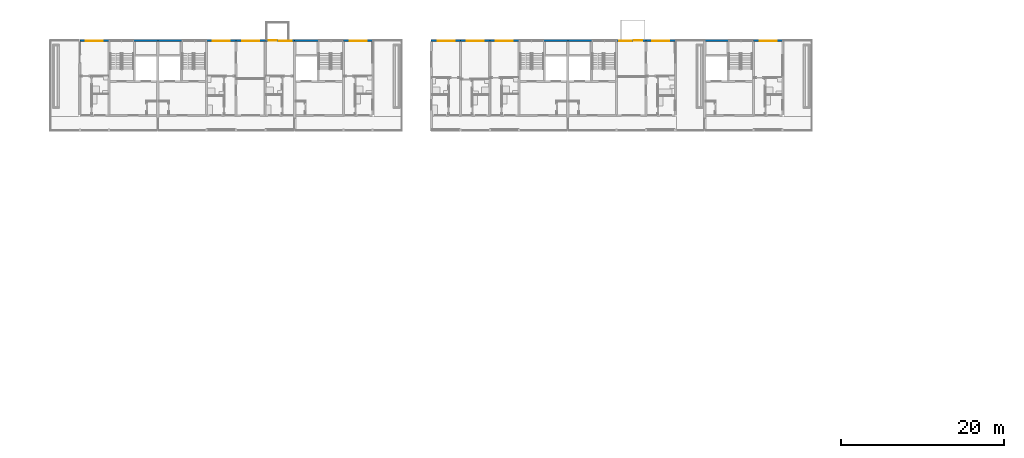
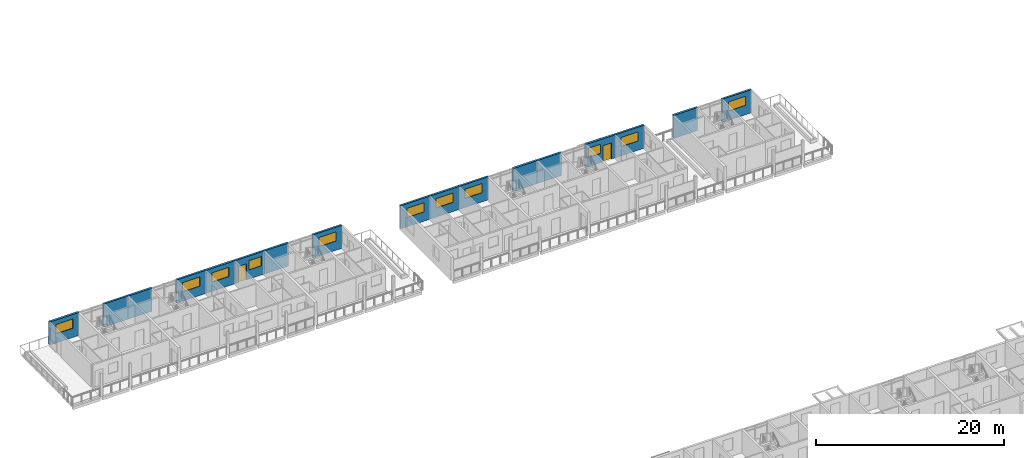
# One storey, part 42 of 94: 17 walls, 11 windows, 2 doors, 13 openings.
"""IFC4 building model written with IfcOpenShell, lengths in metres."""

from ifc_helpers import new_model, si_unit, direction, frame, frame_2d, origin, place, context, subcontext, project, spatial, rectangle, extrude, material, layer, layer_set, type_object, element, fill, save


model = new_model("IFC4")

# Units and contexts
model_context = context("Model", 3, precision=1e-05, world=origin(), true_north=direction((0.0, 1.0)))
body_context = subcontext(model_context, "Body", "Model", "MODEL_VIEW")
ifc_project = project(units=[si_unit("LENGTHUNIT", "METRE"), si_unit("AREAUNIT", "SQUARE_METRE"), si_unit("VOLUMEUNIT", "CUBIC_METRE"), si_unit("PLANEANGLEUNIT", "RADIAN"), si_unit("MASSUNIT", "GRAM", prefix="KILO")], contexts=[model_context])

# Site, building, storey
site_placement = place(None, origin())
site = spatial("IfcSite", under=ifc_project, at=site_placement, CompositionType="ELEMENT")
building_placement = place(site_placement, origin())
building = spatial("IfcBuilding", under=site, at=building_placement, Name="Ridgestep Commons", CompositionType="ELEMENT")
storey_placement = place(building_placement, frame((0.0, 0.0, 21.0)))
storey = spatial("IfcBuildingStorey", under=building, at=storey_placement, Name="L07", CompositionType="ELEMENT", Elevation=21.0)

# Wall, opening, window
ifc_material_1 = material(Name="Precast concrete C40/50", Category="concrete")
ifc_layer = layer(ifc_material_1, 0.25)
ifc_layer_set = layer_set([ifc_layer], Name="North facade panel 250")
wall_type = type_object("IfcWallType", Name="North facade panel 250", PredefinedType="SOLIDWALL", material=ifc_layer_set)
wall_1_placement = place(storey_placement, frame((19.199951171875, 77.125, 0.0), z_axis=(0.0, 0.0, 1.0), x_axis=(1.0, 0.0, 0.0)))
wall_1 = element("IfcWall", 1, at=wall_1_placement, inside=storey, type_object=wall_type, Name="North panel B1T3 L07", PredefinedType="SOLIDWALL", context=body_context, shape_type="SweptSolid", body=[
    extrude(rectangle(XDim=3.60009765625, YDim=0.25, at=frame_2d((1.800048828125, 0.0))), origin(), (0.0, 0.0, 1.0), 3.0),
])
opening_1_placement = place(wall_1_placement, frame((0.737548828125, 0.0, 1.199951171875)))
opening_1 = element("IfcOpeningElement", 2, at=opening_1_placement, cuts=wall_1, Name="Opening W22", PredefinedType="OPENING", context=body_context, shape_type="SweptSolid", body=[
    extrude(rectangle(XDim=2.10009765625, YDim=1.199951171875, at=frame_2d((1.050048828125, 0.60009765625))), frame((0.0, 0.135009765625, 0.0), z_axis=(0.0, -1.0, 0.0), x_axis=(1.0, 0.0, 0.0)), (0.0, 0.0, 1.0), 0.27001953125),
])
ifc_material_2 = material(Name="Aluminium 6063-T6 and glass", Category="aluminium")
window_type_1 = type_object("IfcWindowType", Name="Flat window 2100 x 1200", PartitioningType="DOUBLE_PANEL_VERTICAL", PredefinedType="WINDOW", material=ifc_material_2)
window_1_placement = place(opening_1_placement, origin())
window_1 = element("IfcWindow", 3, at=window_1_placement, inside=storey, type_object=window_type_1, Name="Window B1-07a 2", OverallHeight=1.199951171875, OverallWidth=2.10009765625, PartitioningType="SINGLE_PANEL", PredefinedType="WINDOW", context=body_context, shape_type="SweptSolid", body=[
    extrude(rectangle(XDim=2.10009765625, YDim=1.199951171875, at=frame_2d((1.050048828125, 0.60009765625))), frame((0.0, -0.02490234375, 0.0), z_axis=(0.0, -1.0, 0.0), x_axis=(1.0, 0.0, 0.0)), (0.0, 0.0, 1.0), 0.06005859375),
])
fill(opening_1, window_1)

# Walls
wall_2_placement = place(storey_placement, frame((25.824951171875, 77.125, 0.0), z_axis=(0.0, 0.0, 1.0), x_axis=(1.0, 0.0, 0.0)))
element("IfcWall", 4, at=wall_2_placement, inside=storey, type_object=wall_type, Name="North panel B1C L07", PredefinedType="SOLIDWALL", context=body_context, shape_type="SweptSolid", body=[
    extrude(rectangle(XDim=2.97509765625, YDim=0.25, at=frame_2d((1.487548828125, 0.0))), origin(), (0.0, 0.0, 1.0), 3.0),
])
wall_3_placement = place(storey_placement, frame((28.800048828125, 77.125, 0.0), z_axis=(0.0, 0.0, 1.0), x_axis=(1.0, 0.0, 0.0)))
element("IfcWall", 5, at=wall_3_placement, inside=storey, type_object=wall_type, Name="North panel B2C L07", PredefinedType="SOLIDWALL", context=body_context, shape_type="SweptSolid", body=[
    extrude(rectangle(XDim=2.974853515625, YDim=0.25, at=frame_2d((1.4873046875, 0.0))), origin(), (0.0, 0.0, 1.0), 3.0),
])

# Wall, opening, window
wall_4_placement = place(storey_placement, frame((34.800048828125, 77.125, 0.0), z_axis=(0.0, 0.0, 1.0), x_axis=(1.0, 0.0, 0.0)))
wall_4 = element("IfcWall", 6, at=wall_4_placement, inside=storey, type_object=wall_type, Name="North panel B2T3 L07", PredefinedType="SOLIDWALL", context=body_context, shape_type="SweptSolid", body=[
    extrude(rectangle(XDim=3.599853515625, YDim=0.25, at=frame_2d((1.7998046875, 0.0))), origin(), (0.0, 0.0, 1.0), 3.0),
])
opening_2_placement = place(wall_4_placement, frame((0.762451171875, 0.0, 1.199951171875)))
opening_2 = element("IfcOpeningElement", 7, at=opening_2_placement, cuts=wall_4, Name="Opening W22", PredefinedType="OPENING", context=body_context, shape_type="SweptSolid", body=[
    extrude(rectangle(XDim=2.10009765625, YDim=1.199951171875, at=frame_2d((1.050048828125, 0.60009765625))), frame((0.0, 0.135009765625, 0.0), z_axis=(0.0, -1.0, 0.0), x_axis=(1.0, 0.0, 0.0)), (0.0, 0.0, 1.0), 0.27001953125),
])
window_2_placement = place(opening_2_placement, origin())
window_2 = element("IfcWindow", 8, at=window_2_placement, inside=storey, type_object=window_type_1, Name="Window B2-07b 4", OverallHeight=1.199951171875, OverallWidth=2.10009765625, PartitioningType="SINGLE_PANEL", PredefinedType="WINDOW", context=body_context, shape_type="SweptSolid", body=[
    extrude(rectangle(XDim=2.10009765625, YDim=1.199951171875, at=frame_2d((1.050048828125, 0.60009765625))), frame((0.0, -0.02490234375, 0.0), z_axis=(0.0, -1.0, 0.0), x_axis=(1.0, 0.0, 0.0)), (0.0, 0.0, 1.0), 0.06005859375),
])
fill(opening_2, window_2)

wall_5_placement = place(storey_placement, frame((38.39990234375, 77.125, 0.0), z_axis=(0.0, 0.0, 1.0), x_axis=(1.0, 0.0, 0.0)))
wall_5 = element("IfcWall", 9, at=wall_5_placement, inside=storey, type_object=wall_type, Name="North panel B2T2 L07", PredefinedType="SOLIDWALL", context=body_context, shape_type="SweptSolid", body=[
    extrude(rectangle(XDim=3.60009765625, YDim=0.25, at=frame_2d((1.800048828125, 0.0))), origin(), (0.0, 0.0, 1.0), 3.0),
])
opening_3_placement = place(wall_5_placement, frame((0.75, 0.0, 1.199951171875)))
opening_3 = element("IfcOpeningElement", 10, at=opening_3_placement, cuts=wall_5, Name="Opening W22", PredefinedType="OPENING", context=body_context, shape_type="SweptSolid", body=[
    extrude(rectangle(XDim=2.10009765625, YDim=1.199951171875, at=frame_2d((1.050048828125, 0.60009765625))), frame((0.0, 0.135009765625, 0.0), z_axis=(0.0, -1.0, 0.0), x_axis=(1.0, 0.0, 0.0)), (0.0, 0.0, 1.0), 0.27001953125),
])
window_3_placement = place(opening_3_placement, origin())
window_3 = element("IfcWindow", 11, at=window_3_placement, inside=storey, type_object=window_type_1, Name="Window B2-07b 2", OverallHeight=1.199951171875, OverallWidth=2.10009765625, PartitioningType="SINGLE_PANEL", PredefinedType="WINDOW", context=body_context, shape_type="SweptSolid", body=[
    extrude(rectangle(XDim=2.10009765625, YDim=1.199951171875, at=frame_2d((1.050048828125, 0.60009765625))), frame((0.0, -0.02490234375, 0.0), z_axis=(0.0, -1.0, 0.0), x_axis=(1.0, 0.0, 0.0)), (0.0, 0.0, 1.0), 0.06005859375),
])
fill(opening_3, window_3)

# Wall, openings, door, window
wall_6_placement = place(storey_placement, frame((42.0, 77.125, 0.0), z_axis=(0.0, 0.0, 1.0), x_axis=(1.0, 0.0, 0.0)))
wall_6 = element("IfcWall", 12, at=wall_6_placement, inside=storey, type_object=wall_type, Name="North panel B2T1 L07", PredefinedType="SOLIDWALL", context=body_context, shape_type="SweptSolid", body=[
    extrude(rectangle(XDim=3.60009765625, YDim=0.25, at=frame_2d((1.800048828125, 0.0))), origin(), (0.0, 0.0, 1.0), 3.0),
])
opening_4_placement = place(wall_6_placement, frame((1.739990234375, 0.0, 1.199951171875)))
opening_4 = element("IfcOpeningElement", 13, at=opening_4_placement, cuts=wall_6, Name="Opening W13", PredefinedType="OPENING", context=body_context, shape_type="SweptSolid", body=[
    extrude(rectangle(XDim=1.5, YDim=1.199951171875, at=frame_2d((0.75, 0.60009765625))), frame((0.0, 0.135009765625, 0.0), z_axis=(0.0, -1.0, 0.0), x_axis=(1.0, 0.0, 0.0)), (0.0, 0.0, 1.0), 0.27001953125),
])
opening_5_placement = place(wall_6_placement, frame((0.429931640625, 0.0, 0.0)))
opening_5 = element("IfcOpeningElement", 14, at=opening_5_placement, cuts=wall_6, Name="Opening B2-07a/5", PredefinedType="OPENING", context=body_context, shape_type="SweptSolid", body=[
    extrude(rectangle(XDim=1.0, YDim=2.10009765625, at=frame_2d((0.5, 1.050048828125))), frame((0.0, 0.135009765625, 0.0), z_axis=(0.0, -1.0, 0.0), x_axis=(1.0, 0.0, 0.0)), (0.0, 0.0, 1.0), 0.27001953125),
])
ifc_material_3 = material(Name="Aluminium and glass", Category="aluminium")
door_type = type_object("IfcDoorType", Name="Balcony door 1000 x 2100", OperationType="NOTDEFINED", PredefinedType="DOOR", material=ifc_material_3)
door_1_placement = place(opening_5_placement, origin())
door_1 = element("IfcDoor", 15, at=door_1_placement, inside=storey, type_object=door_type, Name="Balcony door B2-07a/5", OperationType="SINGLE_SWING_RIGHT", OverallHeight=2.10009765625, OverallWidth=1.0, PredefinedType="DOOR", context=body_context, shape_type="SweptSolid", body=[
    extrude(rectangle(XDim=1.0, YDim=2.10009765625, at=frame_2d((0.5, 1.050048828125))), frame((0.0, 0.02490234375, 0.0), z_axis=(0.0, -1.0, 0.0), x_axis=(1.0, 0.0, 0.0)), (0.0, 0.0, 1.0), 0.050048828125),
])
fill(opening_5, door_1)
ifc_material_4 = material(Name="Aluminium 6063-T6 and glass", Category="aluminium")
window_type_2 = type_object("IfcWindowType", Name="Flat window 1500 x 1200", PartitioningType="DOUBLE_PANEL_VERTICAL", PredefinedType="WINDOW", material=ifc_material_4)
window_4_placement = place(opening_4_placement, origin())
window_4 = element("IfcWindow", 16, at=window_4_placement, inside=storey, type_object=window_type_2, Name="Window B2-07a 2", OverallHeight=1.199951171875, OverallWidth=1.5, PartitioningType="SINGLE_PANEL", PredefinedType="WINDOW", context=body_context, shape_type="SweptSolid", body=[
    extrude(rectangle(XDim=1.5, YDim=1.199951171875, at=frame_2d((0.75, 0.60009765625))), frame((0.0, -0.02490234375, 0.0), z_axis=(0.0, -1.0, 0.0), x_axis=(1.0, 0.0, 0.0)), (0.0, 0.0, 1.0), 0.06005859375),
])
fill(opening_4, window_4)

# Wall
wall_7_placement = place(storey_placement, frame((45.60009765625, 77.125, 0.0), z_axis=(0.0, 0.0, 1.0), x_axis=(1.0, 0.0, 0.0)))
element("IfcWall", 17, at=wall_7_placement, inside=storey, type_object=wall_type, Name="North panel B3C L07", PredefinedType="SOLIDWALL", context=body_context, shape_type="SweptSolid", body=[
    extrude(rectangle(XDim=2.974853515625, YDim=0.25, at=frame_2d((1.4873046875, 0.0))), origin(), (0.0, 0.0, 1.0), 3.0),
])

# Wall, opening, window
wall_8_placement = place(storey_placement, frame((51.60009765625, 77.125, 0.0), z_axis=(0.0, 0.0, 1.0), x_axis=(1.0, 0.0, 0.0)))
wall_8 = element("IfcWall", 18, at=wall_8_placement, inside=storey, type_object=wall_type, Name="North panel B3T3 L07", PredefinedType="SOLIDWALL", context=body_context, shape_type="SweptSolid", body=[
    extrude(rectangle(XDim=3.599853515625, YDim=0.25, at=frame_2d((1.7998046875, 0.0))), origin(), (0.0, 0.0, 1.0), 3.0),
])
opening_6_placement = place(wall_8_placement, frame((0.762451171875, 0.0, 1.199951171875)))
opening_6 = element("IfcOpeningElement", 19, at=opening_6_placement, cuts=wall_8, Name="Opening W22", PredefinedType="OPENING", context=body_context, shape_type="SweptSolid", body=[
    extrude(rectangle(XDim=2.10009765625, YDim=1.199951171875, at=frame_2d((1.050048828125, 0.60009765625))), frame((0.0, 0.135009765625, 0.0), z_axis=(0.0, -1.0, 0.0), x_axis=(1.0, 0.0, 0.0)), (0.0, 0.0, 1.0), 0.27001953125),
])
window_5_placement = place(opening_6_placement, origin())
window_5 = element("IfcWindow", 20, at=window_5_placement, inside=storey, type_object=window_type_1, Name="Window B3-07a 2", OverallHeight=1.199951171875, OverallWidth=2.10009765625, PartitioningType="SINGLE_PANEL", PredefinedType="WINDOW", context=body_context, shape_type="SweptSolid", body=[
    extrude(rectangle(XDim=2.10009765625, YDim=1.199951171875, at=frame_2d((1.050048828125, 0.60009765625))), frame((0.0, -0.02490234375, 0.0), z_axis=(0.0, -1.0, 0.0), x_axis=(1.0, 0.0, 0.0)), (0.0, 0.0, 1.0), 0.06005859375),
])
fill(opening_6, window_5)

wall_9_placement = place(storey_placement, frame((62.39990234375, 77.125, 0.0), z_axis=(0.0, 0.0, 1.0), x_axis=(1.0, 0.0, 0.0)))
wall_9 = element("IfcWall", 21, at=wall_9_placement, inside=storey, type_object=wall_type, Name="North panel B4T1 L07", PredefinedType="SOLIDWALL", context=body_context, shape_type="SweptSolid", body=[
    extrude(rectangle(XDim=3.60009765625, YDim=0.25, at=frame_2d((1.800048828125, 0.0))), origin(), (0.0, 0.0, 1.0), 3.0),
])
opening_7_placement = place(wall_9_placement, frame((0.77490234375, 0.0, 1.199951171875)))
opening_7 = element("IfcOpeningElement", 22, at=opening_7_placement, cuts=wall_9, Name="Opening W22", PredefinedType="OPENING", context=body_context, shape_type="SweptSolid", body=[
    extrude(rectangle(XDim=2.10009765625, YDim=1.199951171875, at=frame_2d((1.050048828125, 0.60009765625))), frame((0.0, 0.135009765625, 0.0), z_axis=(0.0, -1.0, 0.0), x_axis=(1.0, 0.0, 0.0)), (0.0, 0.0, 1.0), 0.27001953125),
])
window_6_placement = place(opening_7_placement, origin())
window_6 = element("IfcWindow", 23, at=window_6_placement, inside=storey, type_object=window_type_1, Name="Window B4-07a 2", OverallHeight=1.199951171875, OverallWidth=2.10009765625, PartitioningType="SINGLE_PANEL", PredefinedType="WINDOW", context=body_context, shape_type="SweptSolid", body=[
    extrude(rectangle(XDim=2.10009765625, YDim=1.199951171875, at=frame_2d((1.050048828125, 0.60009765625))), frame((0.0, -0.02490234375, 0.0), z_axis=(0.0, -1.0, 0.0), x_axis=(1.0, 0.0, 0.0)), (0.0, 0.0, 1.0), 0.06005859375),
])
fill(opening_7, window_6)

wall_10_placement = place(storey_placement, frame((66.0, 77.125, 0.0), z_axis=(0.0, 0.0, 1.0), x_axis=(1.0, 0.0, 0.0)))
wall_10 = element("IfcWall", 24, at=wall_10_placement, inside=storey, type_object=wall_type, Name="North panel B4T2 L07", PredefinedType="SOLIDWALL", context=body_context, shape_type="SweptSolid", body=[
    extrude(rectangle(XDim=3.60009765625, YDim=0.25, at=frame_2d((1.800048828125, 0.0))), origin(), (0.0, 0.0, 1.0), 3.0),
])
opening_8_placement = place(wall_10_placement, frame((0.75, 0.0, 1.199951171875)))
opening_8 = element("IfcOpeningElement", 25, at=opening_8_placement, cuts=wall_10, Name="Opening W22", PredefinedType="OPENING", context=body_context, shape_type="SweptSolid", body=[
    extrude(rectangle(XDim=2.10009765625, YDim=1.199951171875, at=frame_2d((1.050048828125, 0.60009765625))), frame((0.0, 0.135009765625, 0.0), z_axis=(0.0, -1.0, 0.0), x_axis=(1.0, 0.0, 0.0)), (0.0, 0.0, 1.0), 0.27001953125),
])
window_7_placement = place(opening_8_placement, origin())
window_7 = element("IfcWindow", 26, at=window_7_placement, inside=storey, type_object=window_type_1, Name="Window B4-07b 2", OverallHeight=1.199951171875, OverallWidth=2.10009765625, PartitioningType="SINGLE_PANEL", PredefinedType="WINDOW", context=body_context, shape_type="SweptSolid", body=[
    extrude(rectangle(XDim=2.10009765625, YDim=1.199951171875, at=frame_2d((1.050048828125, 0.60009765625))), frame((0.0, -0.02490234375, 0.0), z_axis=(0.0, -1.0, 0.0), x_axis=(1.0, 0.0, 0.0)), (0.0, 0.0, 1.0), 0.06005859375),
])
fill(opening_8, window_7)

wall_11_placement = place(storey_placement, frame((69.60009765625, 77.125, 0.0), z_axis=(0.0, 0.0, 1.0), x_axis=(1.0, 0.0, 0.0)))
wall_11 = element("IfcWall", 27, at=wall_11_placement, inside=storey, type_object=wall_type, Name="North panel B4T3 L07", PredefinedType="SOLIDWALL", context=body_context, shape_type="SweptSolid", body=[
    extrude(rectangle(XDim=3.599853515625, YDim=0.25, at=frame_2d((1.7998046875, 0.0))), origin(), (0.0, 0.0, 1.0), 3.0),
])
opening_9_placement = place(wall_11_placement, frame((0.737548828125, 0.0, 1.199951171875)))
opening_9 = element("IfcOpeningElement", 28, at=opening_9_placement, cuts=wall_11, Name="Opening W22", PredefinedType="OPENING", context=body_context, shape_type="SweptSolid", body=[
    extrude(rectangle(XDim=2.10009765625, YDim=1.199951171875, at=frame_2d((1.050048828125, 0.60009765625))), frame((0.0, 0.135009765625, 0.0), z_axis=(0.0, -1.0, 0.0), x_axis=(1.0, 0.0, 0.0)), (0.0, 0.0, 1.0), 0.27001953125),
])
window_8_placement = place(opening_9_placement, origin())
window_8 = element("IfcWindow", 29, at=window_8_placement, inside=storey, type_object=window_type_1, Name="Window B4-07c 2", OverallHeight=1.199951171875, OverallWidth=2.10009765625, PartitioningType="SINGLE_PANEL", PredefinedType="WINDOW", context=body_context, shape_type="SweptSolid", body=[
    extrude(rectangle(XDim=2.10009765625, YDim=1.199951171875, at=frame_2d((1.050048828125, 0.60009765625))), frame((0.0, -0.02490234375, 0.0), z_axis=(0.0, -1.0, 0.0), x_axis=(1.0, 0.0, 0.0)), (0.0, 0.0, 1.0), 0.06005859375),
])
fill(opening_9, window_8)

# Walls
wall_12_placement = place(storey_placement, frame((76.22509765625, 77.125, 0.0), z_axis=(0.0, 0.0, 1.0), x_axis=(1.0, 0.0, 0.0)))
element("IfcWall", 30, at=wall_12_placement, inside=storey, type_object=wall_type, Name="North panel B4C L07", PredefinedType="SOLIDWALL", context=body_context, shape_type="SweptSolid", body=[
    extrude(rectangle(XDim=2.974853515625, YDim=0.25, at=frame_2d((1.4873046875, 0.0))), origin(), (0.0, 0.0, 1.0), 3.0),
])
wall_13_placement = place(storey_placement, frame((79.199951171875, 77.125, 0.0), z_axis=(0.0, 0.0, 1.0), x_axis=(1.0, 0.0, 0.0)))
element("IfcWall", 31, at=wall_13_placement, inside=storey, type_object=wall_type, Name="North panel B5C L07", PredefinedType="SOLIDWALL", context=body_context, shape_type="SweptSolid", body=[
    extrude(rectangle(XDim=2.97509765625, YDim=0.25, at=frame_2d((1.487548828125, 0.0))), origin(), (0.0, 0.0, 1.0), 3.0),
])

# Wall, openings, door, window
wall_14_placement = place(storey_placement, frame((85.199951171875, 77.125, 0.0), z_axis=(0.0, 0.0, 1.0), x_axis=(1.0, 0.0, 0.0)))
wall_14 = element("IfcWall", 32, at=wall_14_placement, inside=storey, type_object=wall_type, Name="North panel B5T3 L07", PredefinedType="SOLIDWALL", context=body_context, shape_type="SweptSolid", body=[
    extrude(rectangle(XDim=3.60009765625, YDim=0.25, at=frame_2d((1.800048828125, 0.0))), origin(), (0.0, 0.0, 1.0), 3.0),
])
opening_10_placement = place(wall_14_placement, frame((0.326904296875, 0.0, 1.199951171875)))
opening_10 = element("IfcOpeningElement", 33, at=opening_10_placement, cuts=wall_14, Name="Opening W13", PredefinedType="OPENING", context=body_context, shape_type="SweptSolid", body=[
    extrude(rectangle(XDim=1.5, YDim=1.199951171875, at=frame_2d((0.75, 0.60009765625))), frame((0.0, 0.135009765625, 0.0), z_axis=(0.0, -1.0, 0.0), x_axis=(1.0, 0.0, 0.0)), (0.0, 0.0, 1.0), 0.27001953125),
])
opening_11_placement = place(wall_14_placement, frame((2.12890625, 0.0, 0.0)))
opening_11 = element("IfcOpeningElement", 34, at=opening_11_placement, cuts=wall_14, Name="Opening B5-07a/8", PredefinedType="OPENING", context=body_context, shape_type="SweptSolid", body=[
    extrude(rectangle(XDim=1.0, YDim=2.10009765625, at=frame_2d((0.5, 1.050048828125))), frame((0.0, 0.135009765625, 0.0), z_axis=(0.0, -1.0, 0.0), x_axis=(1.0, 0.0, 0.0)), (0.0, 0.0, 1.0), 0.27001953125),
])
door_2_placement = place(opening_11_placement, origin())
door_2 = element("IfcDoor", 35, at=door_2_placement, inside=storey, type_object=door_type, Name="Balcony door B5-07a/8", OperationType="SINGLE_SWING_LEFT", OverallHeight=2.10009765625, OverallWidth=1.0, PredefinedType="DOOR", context=body_context, shape_type="SweptSolid", body=[
    extrude(rectangle(XDim=1.0, YDim=2.10009765625, at=frame_2d((0.5, 1.050048828125))), frame((0.0, 0.02490234375, 0.0), z_axis=(0.0, -1.0, 0.0), x_axis=(1.0, 0.0, 0.0)), (0.0, 0.0, 1.0), 0.050048828125),
])
fill(opening_11, door_2)
window_9_placement = place(opening_10_placement, origin())
window_9 = element("IfcWindow", 36, at=window_9_placement, inside=storey, type_object=window_type_2, Name="Window B5-07a 2", OverallHeight=1.199951171875, OverallWidth=1.5, PartitioningType="SINGLE_PANEL", PredefinedType="WINDOW", context=body_context, shape_type="SweptSolid", body=[
    extrude(rectangle(XDim=1.5, YDim=1.199951171875, at=frame_2d((0.75, 0.60009765625))), frame((0.0, -0.02490234375, 0.0), z_axis=(0.0, -1.0, 0.0), x_axis=(1.0, 0.0, 0.0)), (0.0, 0.0, 1.0), 0.06005859375),
])
fill(opening_10, window_9)

# Wall, opening, window
wall_15_placement = place(storey_placement, frame((88.800048828125, 77.125, 0.0), z_axis=(0.0, 0.0, 1.0), x_axis=(1.0, 0.0, 0.0)))
wall_15 = element("IfcWall", 37, at=wall_15_placement, inside=storey, type_object=wall_type, Name="North panel B5T2 L07", PredefinedType="SOLIDWALL", context=body_context, shape_type="SweptSolid", body=[
    extrude(rectangle(XDim=3.599853515625, YDim=0.25, at=frame_2d((1.7998046875, 0.0))), origin(), (0.0, 0.0, 1.0), 3.0),
])
opening_12_placement = place(wall_15_placement, frame((0.75, 0.0, 1.199951171875)))
opening_12 = element("IfcOpeningElement", 38, at=opening_12_placement, cuts=wall_15, Name="Opening W22", PredefinedType="OPENING", context=body_context, shape_type="SweptSolid", body=[
    extrude(rectangle(XDim=2.10009765625, YDim=1.199951171875, at=frame_2d((1.050048828125, 0.60009765625))), frame((0.0, 0.135009765625, 0.0), z_axis=(0.0, -1.0, 0.0), x_axis=(1.0, 0.0, 0.0)), (0.0, 0.0, 1.0), 0.27001953125),
])
window_10_placement = place(opening_12_placement, origin())
window_10 = element("IfcWindow", 39, at=window_10_placement, inside=storey, type_object=window_type_1, Name="Window B5-07a 4", OverallHeight=1.199951171875, OverallWidth=2.10009765625, PartitioningType="SINGLE_PANEL", PredefinedType="WINDOW", context=body_context, shape_type="SweptSolid", body=[
    extrude(rectangle(XDim=2.10009765625, YDim=1.199951171875, at=frame_2d((1.050048828125, 0.60009765625))), frame((0.0, -0.02490234375, 0.0), z_axis=(0.0, -1.0, 0.0), x_axis=(1.0, 0.0, 0.0)), (0.0, 0.0, 1.0), 0.06005859375),
])
fill(opening_12, window_10)

# Wall
wall_16_placement = place(storey_placement, frame((96.0, 77.125, 0.0), z_axis=(0.0, 0.0, 1.0), x_axis=(1.0, 0.0, 0.0)))
element("IfcWall", 40, at=wall_16_placement, inside=storey, type_object=wall_type, Name="North panel B6C L07", PredefinedType="SOLIDWALL", context=body_context, shape_type="SweptSolid", body=[
    extrude(rectangle(XDim=2.97509765625, YDim=0.25, at=frame_2d((1.487548828125, 0.0))), origin(), (0.0, 0.0, 1.0), 3.0),
])

# Wall, opening, window
wall_17_placement = place(storey_placement, frame((102.0, 77.125, 0.0), z_axis=(0.0, 0.0, 1.0), x_axis=(1.0, 0.0, 0.0)))
wall_17 = element("IfcWall", 41, at=wall_17_placement, inside=storey, type_object=wall_type, Name="North panel B6T3 L07", PredefinedType="SOLIDWALL", context=body_context, shape_type="SweptSolid", body=[
    extrude(rectangle(XDim=3.60009765625, YDim=0.25, at=frame_2d((1.800048828125, 0.0))), origin(), (0.0, 0.0, 1.0), 3.0),
])
opening_13_placement = place(wall_17_placement, frame((0.762451171875, 0.0, 1.199951171875)))
opening_13 = element("IfcOpeningElement", 42, at=opening_13_placement, cuts=wall_17, Name="Opening W22", PredefinedType="OPENING", context=body_context, shape_type="SweptSolid", body=[
    extrude(rectangle(XDim=2.10009765625, YDim=1.199951171875, at=frame_2d((1.050048828125, 0.60009765625))), frame((0.0, 0.135009765625, 0.0), z_axis=(0.0, -1.0, 0.0), x_axis=(1.0, 0.0, 0.0)), (0.0, 0.0, 1.0), 0.27001953125),
])
window_11_placement = place(opening_13_placement, origin())
window_11 = element("IfcWindow", 43, at=window_11_placement, inside=storey, type_object=window_type_1, Name="Window B6-07a 2", OverallHeight=1.199951171875, OverallWidth=2.10009765625, PartitioningType="SINGLE_PANEL", PredefinedType="WINDOW", context=body_context, shape_type="SweptSolid", body=[
    extrude(rectangle(XDim=2.10009765625, YDim=1.199951171875, at=frame_2d((1.050048828125, 0.60009765625))), frame((0.0, -0.02490234375, 0.0), z_axis=(0.0, -1.0, 0.0), x_axis=(1.0, 0.0, 0.0)), (0.0, 0.0, 1.0), 0.06005859375),
])
fill(opening_13, window_11)

save(model, "model.ifc")
